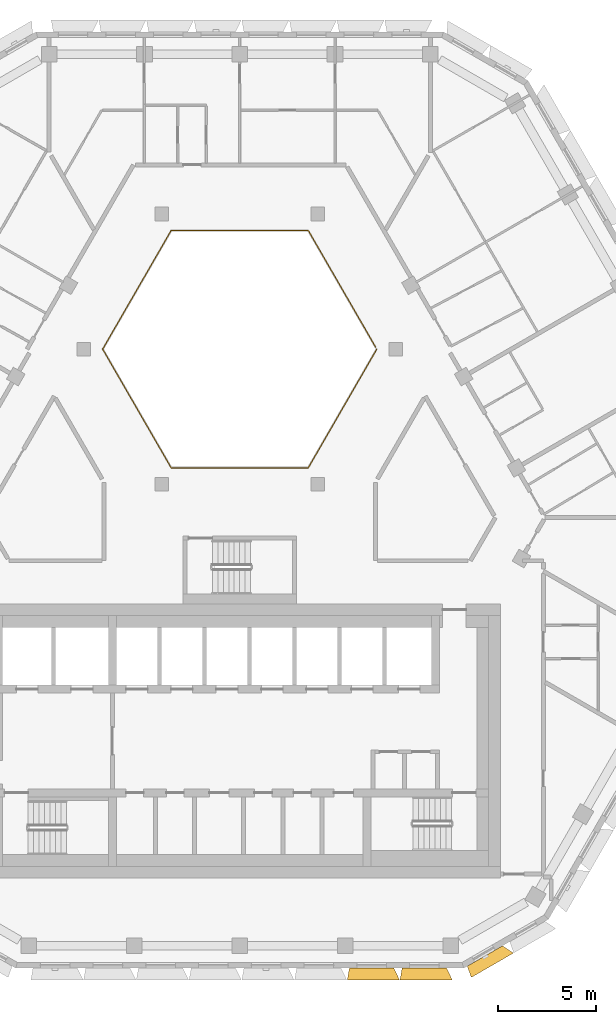
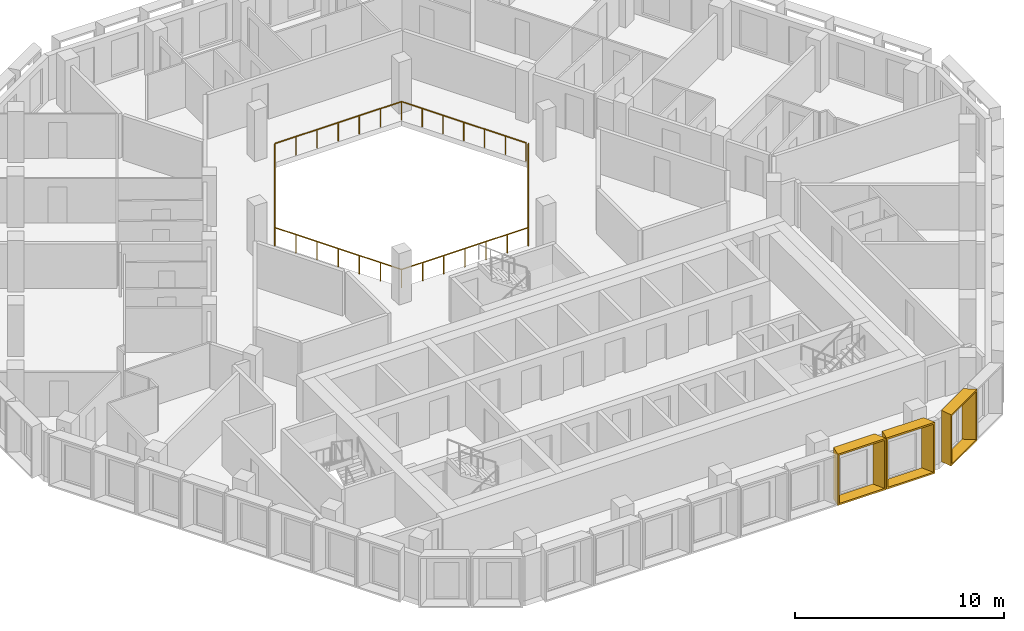
# One storey, part 16 of 18: 3 shading devices, 1 railing.
"""IFC4 building model written with IfcOpenShell, lengths in metres."""

import ifcopenshell
import ifcopenshell.guid

model = None  # the IFC model being written
_history = None  # IfcOwnerHistory: only IFC2X3 demands one
_inside = {}  # id of a spatial element -> (the spatial element, [elements in it])
_under = {}  # id of a project, library or spatial element -> (it, [spatial elements below it])
_declared = {}  # id of a project -> (the project, [libraries it declares])
_typed = {}  # id of a type object -> (the type object, [elements of that type])
_made_of = {}  # id of a material, layer set ... -> (it, [elements and type objects made of it])


def new_model(schema):
    """Start an empty IFC model of exactly this schema.

    Asked for "IFC4X3", IfcOpenShell would pick the latest addendum, in which some entities
    have other attributes; the version numbers below select the first issue.
    IFC2X3 requires an IfcOwnerHistory on every rooted entity: one is made here for all.
    """
    global model, _history
    if schema == "IFC4X3":
        model = ifcopenshell.file(schema_version=(4, 3, 0, 0))
    else:
        model = ifcopenshell.file(schema=schema)
    _inside.clear()
    _under.clear()
    _declared.clear()
    _typed.clear()
    _made_of.clear()
    _history = None
    if model.schema == "IFC2X3":
        org = make("IfcOrganization", Name="unknown")
        user = make(
            "IfcPersonAndOrganization",
            ThePerson=make("IfcPerson", FamilyName="unknown"),
            TheOrganization=org,
        )
        app = make(
            "IfcApplication",
            ApplicationDeveloper=org,
            Version="unknown",
            ApplicationFullName="unknown",
            ApplicationIdentifier="unknown",
        )
        _history = make(
            "IfcOwnerHistory",
            OwningUser=user,
            OwningApplication=app,
            ChangeAction="ADDED",
            CreationDate=0,
        )
    return model


def make(cls, **values):
    """One entity of the class cls with the attributes given. An attribute that is None is left unset."""
    return model.create_entity(
        cls, **{name: value for name, value in values.items() if value is not None}
    )


def entity(cls, *values):
    """Any entity or typed value of the class cls, its attributes in the order of the schema. None: left unset."""
    e = model.create_entity(cls)
    for i, value in enumerate(values):
        if value is not None:
            e[i] = value
    return e


def rooted(cls, **values):
    """An entity with a GlobalId (a new one), such as an element, a storey or a relation."""
    return make(cls, GlobalId=ifcopenshell.guid.new(), OwnerHistory=_history, **values)


def si_unit(unit_type, name, prefix=None):
    """IfcSIUnit, for example si_unit("LENGTHUNIT", "METRE", prefix="MILLI")."""
    return make("IfcSIUnit", UnitType=unit_type, Prefix=prefix, Name=name)


def assignment(units):
    """IfcUnitAssignment: the units of a project."""
    return None if units is None else make("IfcUnitAssignment", Units=units)


def point(xyz):
    """IfcCartesianPoint."""
    return None if xyz is None else make("IfcCartesianPoint", Coordinates=xyz)


def direction(xyz):
    """IfcDirection."""
    return None if xyz is None else make("IfcDirection", DirectionRatios=xyz)


def frame(location, z_axis=None, x_axis=None):
    """IfcAxis2Placement3D, a coordinate frame: its origin and axes. An axis left out is left unset."""
    return make(
        "IfcAxis2Placement3D",
        Location=point(location),
        Axis=direction(z_axis),
        RefDirection=direction(x_axis),
    )


def frame_2d(location, x_axis=None):
    """IfcAxis2Placement2D, a coordinate frame in the plane: its origin and x axis."""
    return make(
        "IfcAxis2Placement2D", Location=point(location), RefDirection=direction(x_axis)
    )


def origin():
    """The frame at (0, 0, 0) with its axes left unset."""
    return frame((0.0, 0.0, 0.0))


def origin_2d():
    """The frame at (0, 0) in the plane with its x axis left unset."""
    return frame_2d((0.0, 0.0))


def place(relative_to, where):
    """IfcLocalPlacement: puts the frame where relative to a parent placement (None: the world)."""
    return make(
        "IfcLocalPlacement", PlacementRelTo=relative_to, RelativePlacement=where
    )


def context(
    kind, dimensions, precision=None, world=None, true_north=None, identifier=None
):
    """IfcGeometricRepresentationContext, for example the 3D "Model" context."""
    return make(
        "IfcGeometricRepresentationContext",
        ContextIdentifier=identifier,
        ContextType=kind,
        CoordinateSpaceDimension=dimensions,
        Precision=precision,
        WorldCoordinateSystem=world,
        TrueNorth=true_north,
    )


def subcontext(parent, identifier, kind, view, scale=None):
    """IfcGeometricRepresentationSubContext, for example "Body" below "Model"."""
    return make(
        "IfcGeometricRepresentationSubContext",
        ContextIdentifier=identifier,
        ContextType=kind,
        ParentContext=parent,
        TargetScale=scale,
        TargetView=view,
    )


def project(units=None, contexts=None):
    """IfcProject with its units and contexts."""
    return rooted(
        "IfcProject",
        Name="project",
        RepresentationContexts=contexts,
        UnitsInContext=assignment(units),
    )


def spatial(cls, under=None, at=None, **own):
    """A site, building, storey or space (cls), placed at a placement, below another one or the project."""
    s = rooted(cls, ObjectPlacement=at, **own)
    if under is not None:
        _under.setdefault(under.id(), (under, []))[1].append(s)
    return s


def profile(cls, at=None, kind="AREA", **sizes):
    """A parametric profile (cls). Its sizes go by their IFC names, for example OverallWidth=200.0."""
    return make(cls, ProfileType=kind, Position=at, **sizes)


def rectangle(**sizes):
    """IfcRectangleProfileDef."""
    return profile("IfcRectangleProfileDef", **sizes)


def extrude(swept, where, along, depth):
    """IfcExtrudedAreaSolid: the profile swept, set in the frame where, extruded along a direction by depth."""
    return make(
        "IfcExtrudedAreaSolid",
        SweptArea=swept,
        Position=where,
        ExtrudedDirection=direction(along),
        Depth=depth,
    )


def shape(context_of_items, identifier, shape_type, items):
    """IfcShapeRepresentation: the items that make up one representation, for example the "Body"."""
    return make(
        "IfcShapeRepresentation",
        ContextOfItems=context_of_items,
        RepresentationIdentifier=identifier,
        RepresentationType=shape_type,
        Items=items,
    )


def source(mapping_origin, context_of_items, identifier, shape_type, items):
    """IfcRepresentationMap: a shape defined once, which mapped items show again and again."""
    return make(
        "IfcRepresentationMap",
        MappingOrigin=mapping_origin,
        MappedRepresentation=shape(context_of_items, identifier, shape_type, items),
    )


def transform(
    local_origin,
    x_axis=None,
    y_axis=None,
    z_axis=None,
    scale=None,
    scale2=None,
    scale3=None,
    uniform=True,
):
    """IfcCartesianTransformationOperator3D, or its non-uniform kind. x_axis, y_axis, z_axis: its Axis1, 2, 3."""
    if uniform:
        return make(
            "IfcCartesianTransformationOperator3D",
            Axis1=direction(x_axis),
            Axis2=direction(y_axis),
            LocalOrigin=point(local_origin),
            Scale=scale,
            Axis3=direction(z_axis),
        )
    return make(
        "IfcCartesianTransformationOperator3DnonUniform",
        Axis1=direction(x_axis),
        Axis2=direction(y_axis),
        LocalOrigin=point(local_origin),
        Scale=scale,
        Axis3=direction(z_axis),
        Scale2=scale2,
        Scale3=scale3,
    )


def mapped(mapping_source, mapping_target):
    """IfcMappedItem: shows the shape of a source again, moved by a transform."""
    return make(
        "IfcMappedItem", MappingSource=mapping_source, MappingTarget=mapping_target
    )


def material(Name=None, Category=None):
    """IfcMaterial."""
    return make("IfcMaterial", Name=Name, Category=Category)


def made_of(thing, what):
    """Note that an element or type object is made of a material, layer set ...; save() writes the relation."""
    if what is not None:
        _made_of.setdefault(what.id(), (what, []))[1].append(thing)
    return thing


def type_object(cls, material=None, **own):
    """A type object (cls), such as IfcWallType, which elements share."""
    return made_of(rooted(cls, **own), material)


def type_shapes(of_type, sources):
    """Give a type object the sources (RepresentationMaps) that its elements show as mapped items."""
    of_type.RepresentationMaps = sources


def element(
    cls,
    number,
    at=None,
    inside=None,
    cuts=None,
    type_object=None,
    material=None,
    context=None,
    identifier="Body",
    shape_type=None,
    held_by="IfcProductDefinitionShape",
    body=None,
    shapes=None,
    **own,
):
    """One element of the class cls, such as IfcWall. Its Tag is "e" and its number.

    at: its placement. inside: the storey or other place that contains it. cuts: it is an
    opening in that element (IfcRelVoidsElement). A single representation is given by context,
    identifier, shape_type and body (its items); several are given by shapes. held_by: the class
    of the entity that holds the representations. save() writes the other relations.
    """
    e = rooted(cls, Tag="e%d" % number, ObjectPlacement=at, **own)
    if body is not None:
        shapes = [shape(context, identifier, shape_type, body)]
    if shapes is not None:
        e.Representation = make(held_by, Representations=shapes)
    if inside is not None:
        _inside.setdefault(inside.id(), (inside, []))[1].append(e)
    if cuts is not None:
        rooted(
            "IfcRelVoidsElement", RelatingBuildingElement=cuts, RelatedOpeningElement=e
        )
    if type_object is not None:
        _typed.setdefault(type_object.id(), (type_object, []))[1].append(e)
    return made_of(e, material)


def aggregate(whole, parts):
    """IfcRelAggregates: a whole, such as a stair, and the parts it consists of."""
    return rooted("IfcRelAggregates", RelatingObject=whole, RelatedObjects=parts)


def save(model, path):
    """Write the relations noted so far, then the file.

    IfcRelAggregates (storeys below a building ...), IfcRelContainedInSpatialStructure (elements
    in a storey), IfcRelDefinesByType, IfcRelAssociatesMaterial and IfcRelDeclares: one each for
    every whole, place, type object, material and project.
    """
    for whole, parts in _under.values():
        aggregate(whole, parts)
    for where, things in _inside.values():
        rooted(
            "IfcRelContainedInSpatialStructure",
            RelatedElements=things,
            RelatingStructure=where,
        )
    for kind, things in _typed.values():
        rooted("IfcRelDefinesByType", RelatedObjects=things, RelatingType=kind)
    for what, things in _made_of.values():
        rooted("IfcRelAssociatesMaterial", RelatedObjects=things, RelatingMaterial=what)
    for by, libraries in _declared.values():
        rooted("IfcRelDeclares", RelatingContext=by, RelatedDefinitions=libraries)
    model.write(path)


model = new_model("IFC4")

# Units and contexts
model_context = context("Model", 3, precision=1e-05, world=origin(), true_north=direction((0.0, 1.0)))
body_context = subcontext(model_context, "Body", "Model", "MODEL_VIEW")
ifc_project = project(units=[si_unit("LENGTHUNIT", "METRE"), si_unit("AREAUNIT", "SQUARE_METRE"), si_unit("VOLUMEUNIT", "CUBIC_METRE"), si_unit("PLANEANGLEUNIT", "RADIAN"), si_unit("MASSUNIT", "GRAM", prefix="KILO")], contexts=[model_context])

# Site, building, storey
site_placement = place(None, origin())
site = spatial("IfcSite", under=ifc_project, at=site_placement, CompositionType="ELEMENT")
building_placement = place(site_placement, origin())
building = spatial("IfcBuilding", under=site, at=building_placement, Name="Beryl Residences", CompositionType="ELEMENT")
storey_placement = place(building_placement, frame((0.0, 0.0, 196.199951171875)))
storey = spatial("IfcBuildingStorey", under=building, at=storey_placement, Name="L60", CompositionType="ELEMENT", Elevation=196.199951171875)

# Railing
ifc_material_1 = material(Name="Stainless steel balustrade with glass infill", Category="steel")
railing_type = type_object("IfcRailingType", Name="EG1 edge guard 1100 mm", PredefinedType="GUARDRAIL", material=ifc_material_1)
railing_placement = place(storey_placement, frame((6.9970703125, 8.0, 0.0)))
element("IfcRailing", 1, at=railing_placement, inside=storey, type_object=railing_type, Name="L60 atrium guard", PredefinedType="GUARDRAIL", context=body_context, shape_type="SweptSolid", body=[
    extrude(rectangle(XDim=0.048095703125, YDim=0.048095703125, at=origin_2d()), frame((0.0, 0.0, 1.076171875), z_axis=(-0.499921796684, -0.866070549782, 0.0), x_axis=(0.866070549782, -0.499921796684, 0.0)), (0.0, 0.0, 1.0), 6.9970703125),
    extrude(rectangle(XDim=0.048095703125, YDim=0.048095703125, at=origin_2d()), frame((-3.498046875, -6.06005859375, 1.076171875), z_axis=(-1.0, 0.0, 0.0), x_axis=(0.0, -1.0, 0.0)), (0.0, 0.0, 1.0), 6.998046875),
    extrude(rectangle(XDim=0.048095703125, YDim=0.048095703125, at=origin_2d()), frame((-10.49609375, -6.06005859375, 1.076171875), z_axis=(-0.499921796684, 0.866070549782, 0.0), x_axis=(-0.866070549782, -0.499921796684, 0.0)), (0.0, 0.0, 1.0), 6.9970703125),
    extrude(rectangle(XDim=0.048095703125, YDim=0.048095703125, at=origin_2d()), frame((-13.994140625, 0.0, 1.076171875), z_axis=(0.499921796684, 0.866070549782, 0.0), x_axis=(-0.866070549782, 0.499921796684, 0.0)), (0.0, 0.0, 1.0), 6.9970703125),
    extrude(rectangle(XDim=0.048095703125, YDim=0.048095703125, at=origin_2d()), frame((-10.49609375, 6.06005859375, 1.076171875), z_axis=(1.0, 0.0, 0.0), x_axis=(0.0, 1.0, 0.0)), (0.0, 0.0, 1.0), 6.998046875),
    extrude(rectangle(XDim=0.048095703125, YDim=0.048095703125, at=origin_2d()), frame((-3.498046875, 6.06005859375, 1.076171875), z_axis=(0.499919131929, -0.866072087953, 0.0), x_axis=(0.866072087953, 0.499919131929, 0.0)), (0.0, 0.0, 1.0), 6.877197265625),
    extrude(rectangle(XDim=0.0419921875, YDim=0.0419921875, at=origin_2d()), origin(), (0.0, 0.0, 1.0), 1.052001953125),
    extrude(rectangle(XDim=0.0419921875, YDim=0.0419921875, at=origin_2d()), frame((-0.5830078125, -1.010009765625, 0.0)), (0.0, 0.0, 1.0), 1.052001953125),
    extrude(rectangle(XDim=0.0419921875, YDim=0.0419921875, at=origin_2d()), frame((-1.166015625, -2.02001953125, 0.0)), (0.0, 0.0, 1.0), 1.052001953125),
    extrude(rectangle(XDim=0.0419921875, YDim=0.0419921875, at=origin_2d()), frame((-1.7490234375, -3.030029296875, 0.0)), (0.0, 0.0, 1.0), 1.052001953125),
    extrude(rectangle(XDim=0.0419921875, YDim=0.0419921875, at=origin_2d()), frame((-2.33203125, -4.0400390625, 0.0)), (0.0, 0.0, 1.0), 1.052001953125),
    extrude(rectangle(XDim=0.0419921875, YDim=0.0419921875, at=origin_2d()), frame((-2.9150390625, -5.050048828125, 0.0)), (0.0, 0.0, 1.0), 1.052001953125),
    extrude(rectangle(XDim=0.0419921875, YDim=0.0419921875, at=origin_2d()), frame((-3.498046875, -6.06005859375, 0.0)), (0.0, 0.0, 1.0), 1.052001953125),
    extrude(rectangle(XDim=0.0419921875, YDim=0.0419921875, at=origin_2d()), frame((-4.664306640625, -6.06005859375, 0.0)), (0.0, 0.0, 1.0), 1.052001953125),
    extrude(rectangle(XDim=0.0419921875, YDim=0.0419921875, at=origin_2d()), frame((-5.830810546875, -6.06005859375, 0.0)), (0.0, 0.0, 1.0), 1.052001953125),
    extrude(rectangle(XDim=0.0419921875, YDim=0.0419921875, at=origin_2d()), frame((-6.9970703125, -6.06005859375, 0.0)), (0.0, 0.0, 1.0), 1.052001953125),
    extrude(rectangle(XDim=0.0419921875, YDim=0.0419921875, at=origin_2d()), frame((-8.163330078125, -6.06005859375, 0.0)), (0.0, 0.0, 1.0), 1.052001953125),
    extrude(rectangle(XDim=0.0419921875, YDim=0.0419921875, at=origin_2d()), frame((-9.329833984375, -6.06005859375, 0.0)), (0.0, 0.0, 1.0), 1.052001953125),
    extrude(rectangle(XDim=0.0419921875, YDim=0.0419921875, at=origin_2d()), frame((-10.49609375, -6.06005859375, 0.0)), (0.0, 0.0, 1.0), 1.052001953125),
    extrude(rectangle(XDim=0.0419921875, YDim=0.0419921875, at=origin_2d()), frame((-11.0791015625, -5.050048828125, 0.0)), (0.0, 0.0, 1.0), 1.052001953125),
    extrude(rectangle(XDim=0.0419921875, YDim=0.0419921875, at=origin_2d()), frame((-11.662109375, -4.0400390625, 0.0)), (0.0, 0.0, 1.0), 1.052001953125),
    extrude(rectangle(XDim=0.0419921875, YDim=0.0419921875, at=origin_2d()), frame((-12.2451171875, -3.030029296875, 0.0)), (0.0, 0.0, 1.0), 1.052001953125),
    extrude(rectangle(XDim=0.0419921875, YDim=0.0419921875, at=origin_2d()), frame((-12.828125, -2.02001953125, 0.0)), (0.0, 0.0, 1.0), 1.052001953125),
    extrude(rectangle(XDim=0.0419921875, YDim=0.0419921875, at=origin_2d()), frame((-13.4111328125, -1.010009765625, 0.0)), (0.0, 0.0, 1.0), 1.052001953125),
    extrude(rectangle(XDim=0.0419921875, YDim=0.0419921875, at=origin_2d()), frame((-13.994140625, 0.0, 0.0)), (0.0, 0.0, 1.0), 1.052001953125),
    extrude(rectangle(XDim=0.0419921875, YDim=0.0419921875, at=origin_2d()), frame((-13.4111328125, 1.010009765625, 0.0)), (0.0, 0.0, 1.0), 1.052001953125),
    extrude(rectangle(XDim=0.0419921875, YDim=0.0419921875, at=origin_2d()), frame((-12.828125, 2.02001953125, 0.0)), (0.0, 0.0, 1.0), 1.052001953125),
    extrude(rectangle(XDim=0.0419921875, YDim=0.0419921875, at=origin_2d()), frame((-12.2451171875, 3.030029296875, 0.0)), (0.0, 0.0, 1.0), 1.052001953125),
    extrude(rectangle(XDim=0.0419921875, YDim=0.0419921875, at=origin_2d()), frame((-11.662109375, 4.0400390625, 0.0)), (0.0, 0.0, 1.0), 1.052001953125),
    extrude(rectangle(XDim=0.0419921875, YDim=0.0419921875, at=origin_2d()), frame((-11.0791015625, 5.050048828125, 0.0)), (0.0, 0.0, 1.0), 1.052001953125),
    extrude(rectangle(XDim=0.0419921875, YDim=0.0419921875, at=origin_2d()), frame((-10.49609375, 6.06005859375, 0.0)), (0.0, 0.0, 1.0), 1.052001953125),
    extrude(rectangle(XDim=0.0419921875, YDim=0.0419921875, at=origin_2d()), frame((-9.329833984375, 6.06005859375, 0.0)), (0.0, 0.0, 1.0), 1.052001953125),
    extrude(rectangle(XDim=0.0419921875, YDim=0.0419921875, at=origin_2d()), frame((-8.163330078125, 6.06005859375, 0.0)), (0.0, 0.0, 1.0), 1.052001953125),
    extrude(rectangle(XDim=0.0419921875, YDim=0.0419921875, at=origin_2d()), frame((-6.9970703125, 6.06005859375, 0.0)), (0.0, 0.0, 1.0), 1.052001953125),
    extrude(rectangle(XDim=0.0419921875, YDim=0.0419921875, at=origin_2d()), frame((-5.830810546875, 6.06005859375, 0.0)), (0.0, 0.0, 1.0), 1.052001953125),
    extrude(rectangle(XDim=0.0419921875, YDim=0.0419921875, at=origin_2d()), frame((-4.664306640625, 6.06005859375, 0.0)), (0.0, 0.0, 1.0), 1.052001953125),
    extrude(rectangle(XDim=0.0419921875, YDim=0.0419921875, at=origin_2d()), frame((-3.498046875, 6.06005859375, 0.0)), (0.0, 0.0, 1.0), 1.052001953125),
    extrude(rectangle(XDim=0.0419921875, YDim=0.0419921875, at=origin_2d()), frame((-2.925048828125, 5.0673828125, 0.0)), (0.0, 0.0, 1.0), 1.052001953125),
    extrude(rectangle(XDim=0.0419921875, YDim=0.0419921875, at=origin_2d()), frame((-2.35205078125, 4.07470703125, 0.0)), (0.0, 0.0, 1.0), 1.052001953125),
    extrude(rectangle(XDim=0.0419921875, YDim=0.0419921875, at=origin_2d()), frame((-1.779052734375, 3.08203125, 0.0)), (0.0, 0.0, 1.0), 1.052001953125),
    extrude(rectangle(XDim=0.0419921875, YDim=0.0419921875, at=origin_2d()), frame((-1.2060546875, 2.08935546875, 0.0)), (0.0, 0.0, 1.0), 1.052001953125),
    extrude(rectangle(XDim=0.0419921875, YDim=0.0419921875, at=origin_2d()), frame((-0.633056640625, 1.0966796875, 0.0)), (0.0, 0.0, 1.0), 1.052001953125),
    extrude(rectangle(XDim=0.0419921875, YDim=0.0419921875, at=origin_2d()), frame((-0.06005859375, 0.10400390625, 0.0)), (0.0, 0.0, 1.0), 1.052001953125),
])

# Shading devices
ifc_material_2 = material(Name="Aluminium pale anodised", Category="aluminium")
shading_device_type_1 = type_object("IfcShadingDeviceType", Name="FR250-60C OUTER SKIN frame 600 mm deep, splay 10/26 deg, 2500 x 3000 mm cell", PredefinedType="USERDEFINED", material=ifc_material_2)
cartesian_point_1 = entity("IfcCartesianPoint", [-1.04052734375, 0.0])
cartesian_point_2 = entity("IfcCartesianPoint", [-0.959228515625, 0.10009765625])
cartesian_point_3 = entity("IfcCartesianPoint", [-1.146240234375, 0.0])
cartesian_point_4 = entity("IfcCartesianPoint", [-1.06494140625, 0.10009765625])
shared_shape_1 = source(origin(), body_context, "Body", "SweptSolid", [
    entity("IfcExtrudedAreaSolidTapered", entity("IfcArbitraryProfileDefWithVoids", "AREA", None, entity("IfcPolyline", [cartesian_point_1, entity("IfcCartesianPoint", [1.04052734375, 0.0]), entity("IfcCartesianPoint", [1.04052734375, 3.0]), entity("IfcCartesianPoint", [-1.04052734375, 3.0]), cartesian_point_1]), [entity("IfcPolyline", [cartesian_point_2, entity("IfcCartesianPoint", [0.951416015625, 0.10009765625]), entity("IfcCartesianPoint", [0.951416015625, 2.89990234375]), entity("IfcCartesianPoint", [-0.959228515625, 2.89990234375]), cartesian_point_2])]), entity("IfcAxis2Placement3D", entity("IfcCartesianPoint", [0.0, 0.0, 0.0]), entity("IfcDirection", [0.0, 1.0, 0.0]), entity("IfcDirection", [-1.0, 0.0, 0.0])), entity("IfcDirection", [0.0, 0.0, 1.0]), 0.60009765625, entity("IfcArbitraryProfileDefWithVoids", "AREA", None, entity("IfcPolyline", [cartesian_point_3, entity("IfcCartesianPoint", [1.333251953125, 0.0]), entity("IfcCartesianPoint", [1.333251953125, 3.0]), entity("IfcCartesianPoint", [-1.146240234375, 3.0]), cartesian_point_3]), [entity("IfcPolyline", [cartesian_point_4, entity("IfcCartesianPoint", [1.244140625, 0.10009765625]), entity("IfcCartesianPoint", [1.244140625, 2.89990234375]), entity("IfcCartesianPoint", [-1.06494140625, 2.89990234375]), cartesian_point_4])])),
])
type_shapes(shading_device_type_1, [shared_shape_1])
shading_device_placement = place(storey_placement, frame((12.513916015625, -22.97509765625, 0.0), z_axis=(0.0, 0.0, 1.0), x_axis=(-0.866025403784, -0.5, 0.0)))
element("IfcShadingDevice", 2, at=shading_device_placement, inside=storey, type_object=shading_device_type_1, Name="FR250-60C frame L60 S-SE 1", ObjectType="OUTER SKIN", PredefinedType="USERDEFINED", context=body_context, shape_type="MappedRepresentation", body=[
    mapped(shared_shape_1, transform((0.0, 0.0, 0.0))),
])
ifc_material_3 = material(Name="Aluminium pale anodised", Category="aluminium")
shading_device_type_2 = type_object("IfcShadingDeviceType", Name="FR269-60C OUTER SKIN frame 600 mm deep, splay 10/26 deg, 2690 x 3000 mm cell", PredefinedType="USERDEFINED", material=ifc_material_3)
cartesian_point_5 = entity("IfcCartesianPoint", [-1.135498046875, 0.0])
cartesian_point_6 = entity("IfcCartesianPoint", [-1.05419921875, 0.10009765625])
cartesian_point_7 = entity("IfcCartesianPoint", [-1.2412109375, 0.0])
cartesian_point_8 = entity("IfcCartesianPoint", [-1.16015625, 0.10009765625])
shared_shape_2 = source(origin(), body_context, "Body", "SweptSolid", [
    entity("IfcExtrudedAreaSolidTapered", entity("IfcArbitraryProfileDefWithVoids", "AREA", None, entity("IfcPolyline", [cartesian_point_5, entity("IfcCartesianPoint", [1.135498046875, 0.0]), entity("IfcCartesianPoint", [1.135498046875, 3.0]), entity("IfcCartesianPoint", [-1.135498046875, 3.0]), cartesian_point_5]), [entity("IfcPolyline", [cartesian_point_6, entity("IfcCartesianPoint", [1.04638671875, 0.10009765625]), entity("IfcCartesianPoint", [1.04638671875, 2.89990234375]), entity("IfcCartesianPoint", [-1.05419921875, 2.89990234375]), cartesian_point_6])]), entity("IfcAxis2Placement3D", entity("IfcCartesianPoint", [0.0, 0.0, 0.0]), entity("IfcDirection", [0.0, 1.0, 0.0]), entity("IfcDirection", [-1.0, 0.0, 0.0])), entity("IfcDirection", [0.0, 0.0, 1.0]), 0.60009765625, entity("IfcArbitraryProfileDefWithVoids", "AREA", None, entity("IfcPolyline", [cartesian_point_7, entity("IfcCartesianPoint", [1.42822265625, 0.0]), entity("IfcCartesianPoint", [1.42822265625, 3.0]), entity("IfcCartesianPoint", [-1.2412109375, 3.0]), cartesian_point_7]), [entity("IfcPolyline", [cartesian_point_8, entity("IfcCartesianPoint", [1.339111328125, 0.10009765625]), entity("IfcCartesianPoint", [1.339111328125, 2.89990234375]), entity("IfcCartesianPoint", [-1.16015625, 2.89990234375]), cartesian_point_8])])),
])
type_shapes(shading_device_type_2, [shared_shape_2])
for number, where, z_axis, x_axis, name in (
    (3, (6.73095703125, -23.60009765625, 0.0), (0.0, 0.0, 1.0), (-1.0, 0.0, 0.0), "FR269-60C frame L60 S 7"),
    (4, (9.423095703125, -23.60009765625, 0.0), (0.0, 0.0, 1.0), (-1.0, 0.0, 0.0), "FR269-60C frame L60 S 8"),
):
    element("IfcShadingDevice", number, at=place(storey_placement, frame(where, z_axis=z_axis, x_axis=x_axis)), inside=storey, type_object=shading_device_type_2, Name=name, ObjectType="OUTER SKIN", PredefinedType="USERDEFINED", context=body_context, shape_type="MappedRepresentation", body=[
        mapped(shared_shape_2, transform((0.0, 0.0, 0.0))),
    ])

save(model, "model.ifc")
